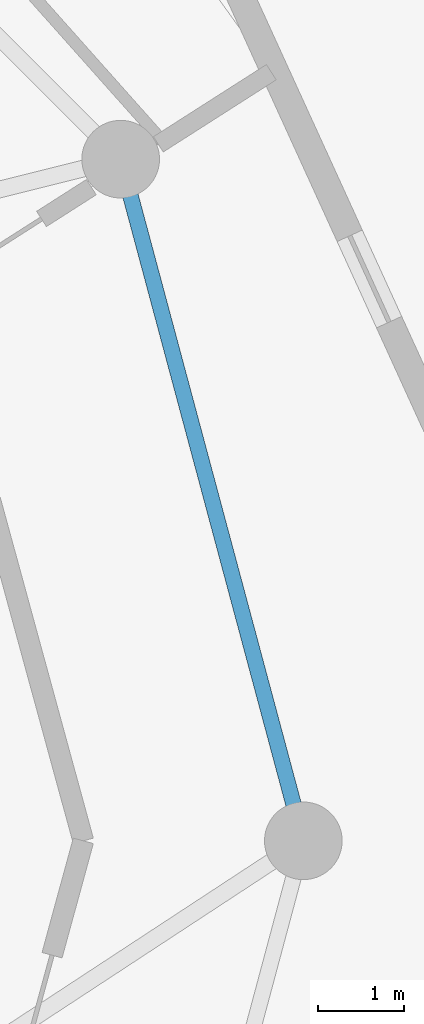
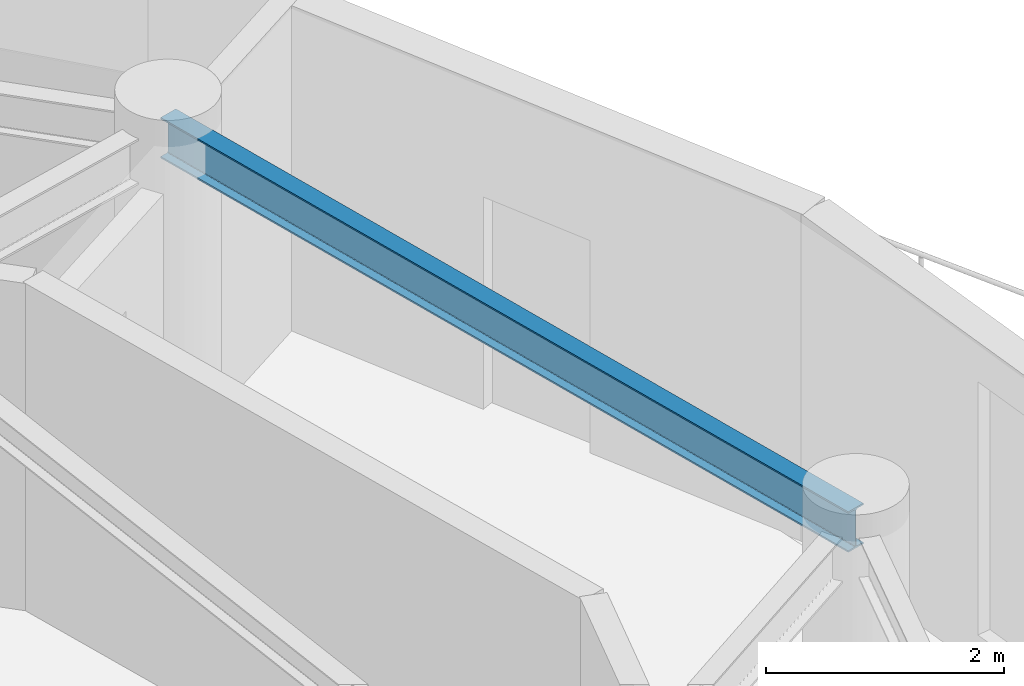
# One storey, part 14 of 24: 1 beam.
"""IFC4 building model written with IfcOpenShell, lengths in metres."""

from ifc_helpers import new_model, si_unit, direction, frame, origin, origin_2d, place, context, subcontext, project, spatial, i_section, extrude, material, material_profile, profile_set, type_object, element, save


model = new_model("IFC4")

# Units and contexts
model_context = context("Model", 3, precision=1e-05, world=origin(), true_north=direction((0.0, 1.0)))
body_context = subcontext(model_context, "Body", "Model", "MODEL_VIEW")
ifc_project = project(units=[si_unit("LENGTHUNIT", "METRE"), si_unit("AREAUNIT", "SQUARE_METRE"), si_unit("VOLUMEUNIT", "CUBIC_METRE"), si_unit("PLANEANGLEUNIT", "RADIAN"), si_unit("MASSUNIT", "GRAM", prefix="KILO")], contexts=[model_context])

# Site, building, storey
site_placement = place(None, origin())
site = spatial("IfcSite", under=ifc_project, at=site_placement, CompositionType="ELEMENT")
building_placement = place(site_placement, origin())
building = spatial("IfcBuilding", under=site, at=building_placement, Name="Solvirekh Grand Hotel", CompositionType="ELEMENT")
storey_placement = place(building_placement, frame((0.0, 0.0, 184.0)))
storey = spatial("IfcBuildingStorey", under=building, at=storey_placement, Name="L47", CompositionType="ELEMENT", Elevation=184.0)

# Beam
ifc_material = material(Name="Steel S355", Category="steel")
ifc_material_profile = material_profile(ifc_material, i_section(OverallWidth=0.180908203125, OverallDepth=0.4169921875, WebThickness=0.010009765625, FlangeThickness=0.01611328125, FilletRadius=0.011962890625, at=origin_2d()), Name="W410X85")
ifc_profile_set = profile_set([ifc_material_profile], Name="Steel S355")
beam_type = type_object("IfcBeamType", Name="Spandrel_Ring_W410", PredefinedType="SPANDREL", material=ifc_profile_set)
beam_placement = place(storey_placement, frame((15.800048828125, 0.0, 3.152099609375), z_axis=(-0.258838541915, 0.965920601923, 0.0), x_axis=(-0.965920601923, -0.258838541915, 0.0)))
element("IfcBeam", 1, at=beam_placement, inside=storey, type_object=beam_type, Name="L47 perimeter spandrel beam 1", PredefinedType="SPANDREL", context=body_context, shape_type="SweptSolid", body=[
    extrude(i_section(OverallWidth=0.180908203125, OverallDepth=0.4169921875, WebThickness=0.010009765625, FlangeThickness=0.01611328125, FilletRadius=0.011962890625, at=origin_2d()), origin(), (0.0, 0.0, 1.0), 8.1787109375),
])

save(model, "model.ifc")
